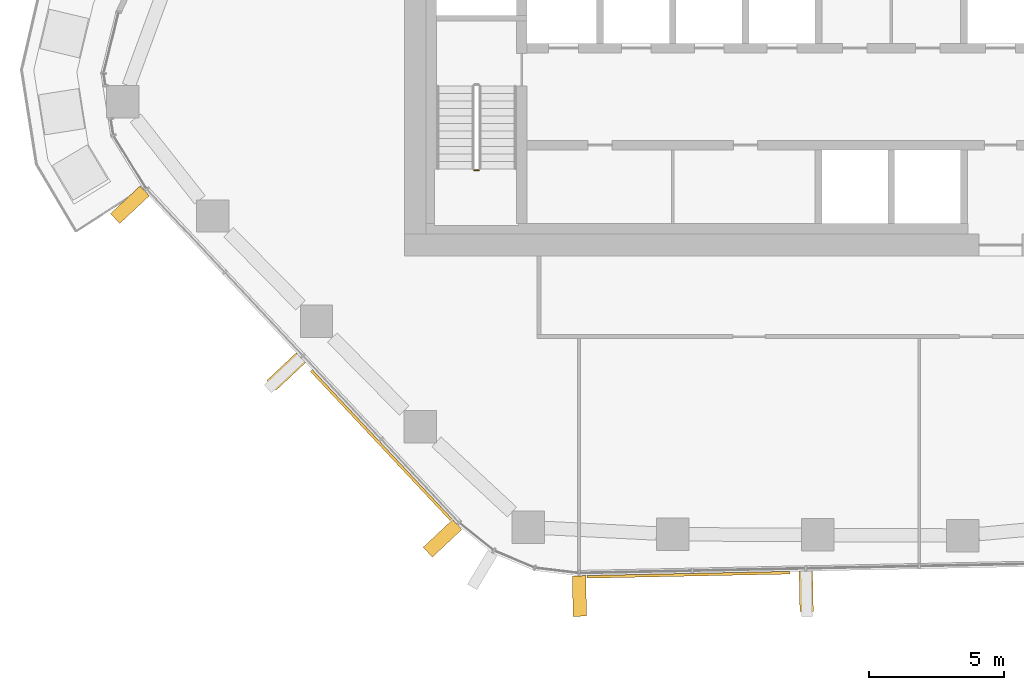
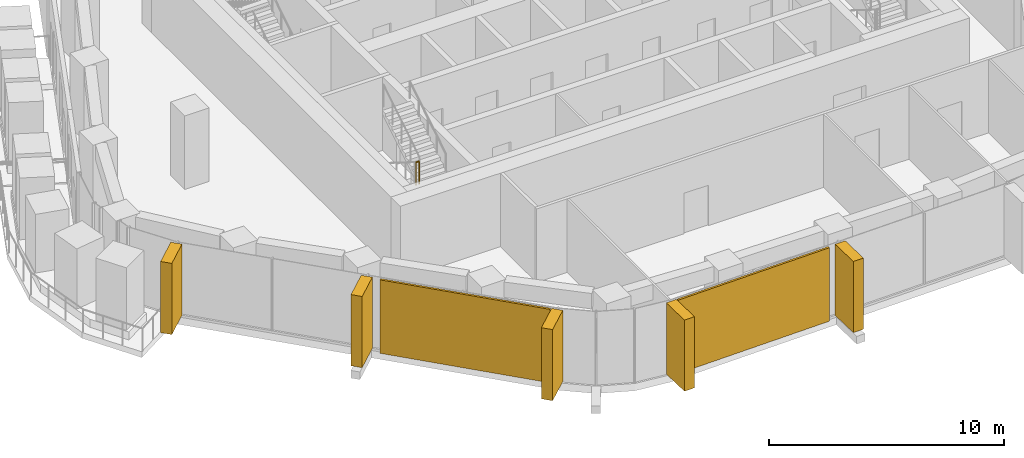
# One storey, part 15 of 18: 7 coverings, 1 railing, 2 elements without a shape of their own.
"""IFC4 building model written with IfcOpenShell, lengths in metres."""

from ifc_helpers import new_model, si_unit, direction, frame, origin, origin_2d, place, context, subcontext, project, spatial, rectangle, circle, extrude, material, layer, layer_set, material_profile, profile_set, type_object, element, aggregate, save


model = new_model("IFC4")

# Units and contexts
model_context = context("Model", 3, precision=1e-05, world=origin(), true_north=direction((0.0, 1.0)))
body_context = subcontext(model_context, "Body", "Model", "MODEL_VIEW")
ifc_project = project(units=[si_unit("LENGTHUNIT", "METRE"), si_unit("AREAUNIT", "SQUARE_METRE"), si_unit("VOLUMEUNIT", "CUBIC_METRE"), si_unit("PLANEANGLEUNIT", "RADIAN"), si_unit("MASSUNIT", "GRAM", prefix="KILO")], contexts=[model_context])

# Site, building, storey
site_placement = place(None, origin())
site = spatial("IfcSite", under=ifc_project, at=site_placement, CompositionType="ELEMENT")
building_placement = place(site_placement, origin())
building = spatial("IfcBuilding", under=site, at=building_placement, Name="Dongbaek Canopy Tower", CompositionType="ELEMENT")
storey_placement = place(building_placement, frame((0.0, 0.0, 162.800048828125)))
storey = spatial("IfcBuildingStorey", under=building, at=storey_placement, Name="L35", CompositionType="ELEMENT", Elevation=162.800048828125)

# Curtain wall, covering
ifc_material_1 = material(Name="Aluminium 6063-T6 pale anodised", Category="aluminium")
ifc_layer_1 = layer(ifc_material_1, 0.199951171875)
ifc_layer_set_1 = layer_set([ifc_layer_1], Name="CW-1 unitised tower curtain wall")
curtain_wall_type = type_object("IfcCurtainWallType", Name="CW-1 unitised tower curtain wall", PredefinedType="NOTDEFINED", material=ifc_layer_set_1)
curtain_wall_1_placement = place(storey_placement, origin())
curtain_wall_1 = element("IfcCurtainWall", 1, at=curtain_wall_1_placement, inside=storey, type_object=curtain_wall_type, Name="CW-1 curtain wall F3.1", PredefinedType="NOTDEFINED")
ifc_material_2 = material(Name="Perforated aluminium 6063-T6 pale metal screen", Category="aluminium")
ifc_layer_2 = layer(ifc_material_2, 0.10009765625)
ifc_layer_set_2 = layer_set([ifc_layer_2], Name="Facet screen FS1 100 pale metal")
covering_type_1 = type_object("IfcCoveringType", Name="Facet screen FS1 100 pale metal", PredefinedType="CLADDING", material=ifc_layer_set_2)
covering_1_placement = place(storey_placement, frame((-14.858642578125, -18.018798828125, 0.0), z_axis=(0.0, 0.0, 1.0), x_axis=(0.683821561846, -0.729649279829, 0.0)))
covering_1 = element("IfcCovering", 2, at=covering_1_placement, type_object=covering_type_1, Name="Facet screen L35 F3", PredefinedType="CLADDING", context=body_context, shape_type="SweptSolid", body=[
    extrude(rectangle(XDim=7.574951171875, YDim=0.10009765625, at=origin_2d()), origin(), (0.0, 0.0, 1.0), 3.820068359375),
])

curtain_wall_2_placement = place(storey_placement, origin())
curtain_wall_2 = element("IfcCurtainWall", 3, at=curtain_wall_2_placement, inside=storey, type_object=curtain_wall_type, Name="CW-1 curtain wall F4.1", PredefinedType="NOTDEFINED")
covering_2_placement = place(storey_placement, frame((-3.472412109375, -22.826171875, 0.0), z_axis=(0.0, 0.0, 1.0), x_axis=(0.999789547169, 0.020514906096, 0.0)))
covering_2 = element("IfcCovering", 4, at=covering_2_placement, type_object=covering_type_1, Name="Facet screen L35 F4", PredefinedType="CLADDING", context=body_context, shape_type="SweptSolid", body=[
    extrude(rectangle(XDim=7.52294921875, YDim=0.10009765625, at=origin_2d()), origin(), (0.0, 0.0, 1.0), 3.820068359375),
])

# Covering
ifc_material_3 = material(Name="Aluminium 6063-T6 pale metal fin", Category="aluminium")
ifc_material_profile = material_profile(ifc_material_3, rectangle(XDim=1.5, YDim=0.5, at=origin_2d()), Name="Fin FN1 500 x 1500 pale metal")
ifc_profile_set = profile_set([ifc_material_profile], Name="Aluminium 6063-T6 pale metal fin")
covering_type_2 = type_object("IfcCoveringType", Name="Fin FN1 500 x 1500 pale metal", PredefinedType="CLADDING", material=ifc_profile_set)
covering_3_placement = place(storey_placement, frame((-24.17333984375, -9.109375, 0.119873046875), z_axis=(0.0, 0.0, 1.0), x_axis=(-0.729648859062, -0.683822010811, 0.0)))
covering_3 = element("IfcCovering", 5, at=covering_3_placement, type_object=covering_type_2, Name="Fin F3.1.1", PredefinedType="CLADDING", context=body_context, shape_type="SweptSolid", body=[
    extrude(rectangle(XDim=1.5, YDim=0.5, at=origin_2d()), origin(), (0.0, 0.0, 1.0), 3.7001953125),
])

covering_4_placement = place(storey_placement, frame((-18.379638671875, -15.291259765625, 0.119873046875), z_axis=(0.0, 0.0, 1.0), x_axis=(-0.729648859062, -0.683822010811, 0.0)))
covering_4 = element("IfcCovering", 6, at=covering_4_placement, type_object=covering_type_2, Name="Fin F3.1.3", PredefinedType="CLADDING", context=body_context, shape_type="SweptSolid", body=[
    extrude(rectangle(XDim=1.5, YDim=0.5, at=origin_2d()), origin(), (0.0, 0.0, 1.0), 3.7001953125),
])

covering_5_placement = place(storey_placement, frame((-12.583984375, -21.475341796875, 0.119873046875), z_axis=(0.0, 0.0, 1.0), x_axis=(-0.729648859062, -0.683822010811, 0.0)))
covering_5 = element("IfcCovering", 7, at=covering_5_placement, type_object=covering_type_2, Name="Fin F3.1.5", PredefinedType="CLADDING", context=body_context, shape_type="SweptSolid", body=[
    extrude(rectangle(XDim=1.5, YDim=0.5, at=origin_2d()), origin(), (0.0, 0.0, 1.0), 3.7001953125),
])

aggregate(curtain_wall_1, [covering_3, covering_4, covering_5, covering_1])

covering_6_placement = place(storey_placement, frame((-7.508544921875, -23.613037109375, 0.119873046875), z_axis=(0.0, 0.0, 1.0), x_axis=(0.020514717954, -0.999789551029, 0.0)))
covering_6 = element("IfcCovering", 8, at=covering_6_placement, type_object=covering_type_2, Name="Fin F4.1.1", PredefinedType="CLADDING", context=body_context, shape_type="SweptSolid", body=[
    extrude(rectangle(XDim=1.5, YDim=0.5, at=origin_2d()), origin(), (0.0, 0.0, 1.0), 3.7001953125),
])

covering_7_placement = place(storey_placement, frame((0.897705078125, -23.440673828125, 0.119873046875), z_axis=(0.0, 0.0, 1.0), x_axis=(0.020514717954, -0.999789551029, 0.0)))
covering_7 = element("IfcCovering", 9, at=covering_7_placement, type_object=covering_type_2, Name="Fin F4.1.3", PredefinedType="CLADDING", context=body_context, shape_type="SweptSolid", body=[
    extrude(rectangle(XDim=1.5, YDim=0.5, at=origin_2d()), origin(), (0.0, 0.0, 1.0), 3.7001953125),
])

aggregate(curtain_wall_2, [covering_6, covering_7, covering_2])

# Railing
ifc_material_4 = material(Name="Stainless steel tube and balusters", Category="steel")
railing_type = type_object("IfcRailingType", Name="Stair guard 1200", PredefinedType="GUARDRAIL", material=ifc_material_4)
railing_placement = place(storey_placement, frame((-11.39990234375, -7.830078125, 2.099853515625)))
element("IfcRailing", 10, at=railing_placement, inside=storey, type_object=railing_type, Name="L35 ST-D stair guard 2", PredefinedType="GUARDRAIL", context=body_context, shape_type="SweptSolid", body=[
    extrude(circle(Radius=0.02392578125, at=origin_2d()), frame((0.0, 0.0, 1.17578125), z_axis=(1.0, 0.0, 0.0), x_axis=(0.0, 1.0, 0.0)), (0.0, 0.0, 1.0), 0.14990234375),
    extrude(circle(Radius=0.02099609375, at=origin_2d()), origin(), (0.0, 0.0, 1.0), 1.15185546875),
    extrude(circle(Radius=0.02099609375, at=origin_2d()), frame((0.14990234375, 0.0, 0.0)), (0.0, 0.0, 1.0), 1.15185546875),
])

save(model, "model.ifc")
